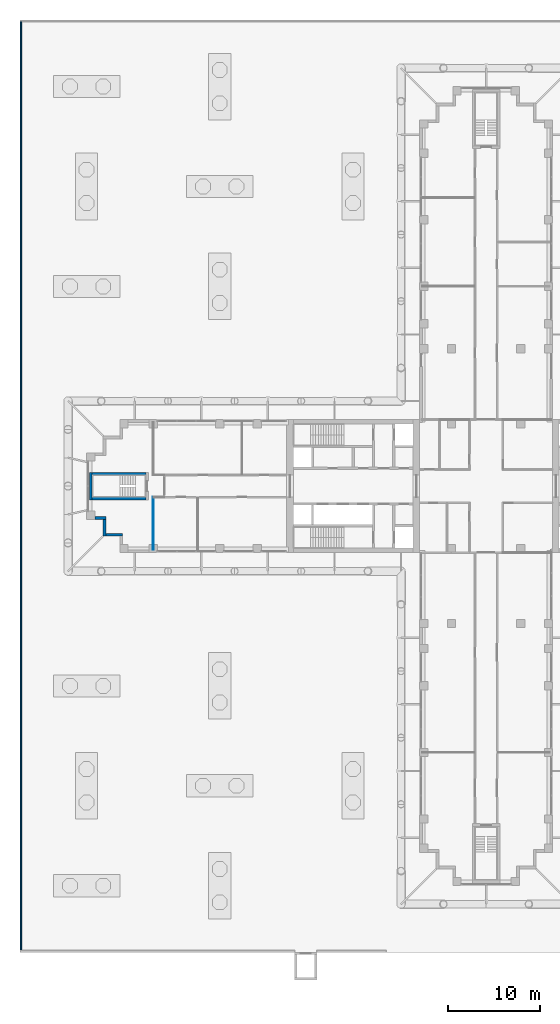
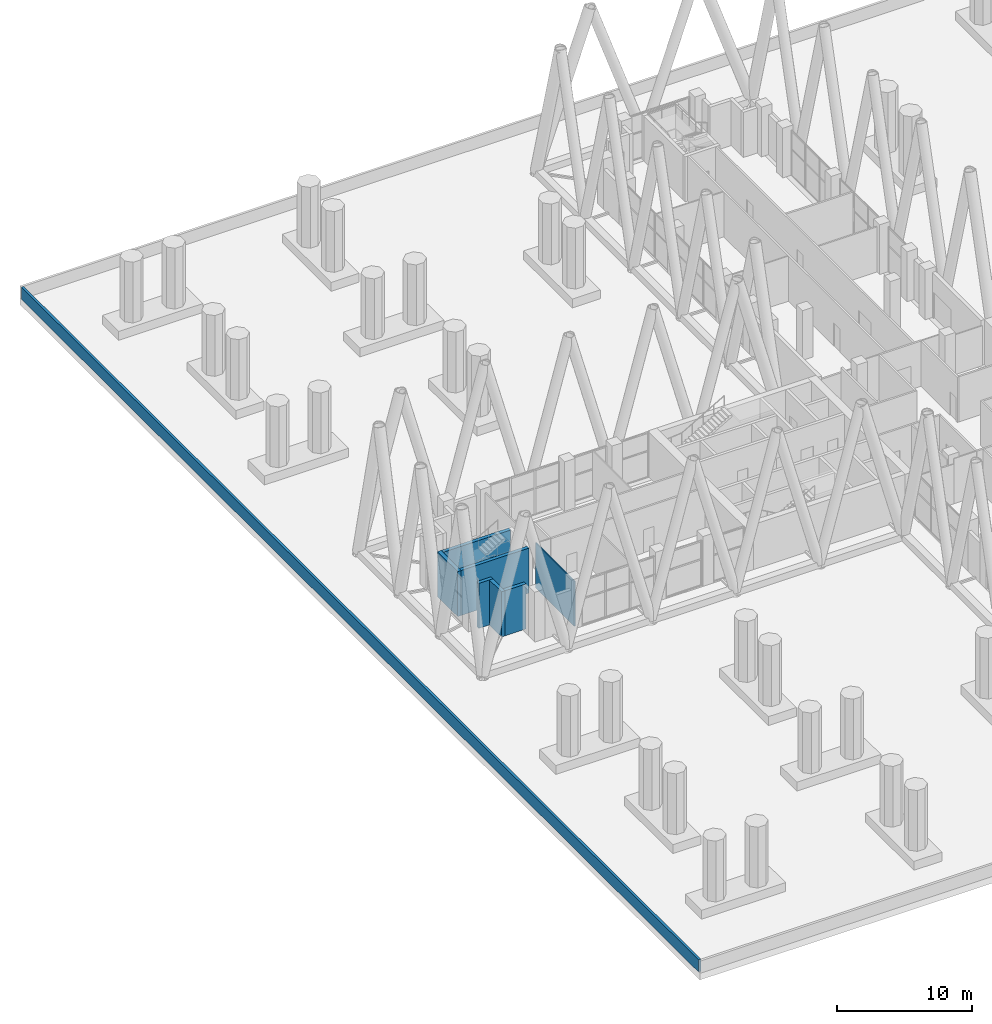
# One storey, part 19 of 31: 8 walls.
"""IFC4 building model written with IfcOpenShell, lengths in metres."""

import ifcopenshell
import ifcopenshell.guid

model = None  # the IFC model being written
_history = None  # IfcOwnerHistory: only IFC2X3 demands one
_inside = {}  # id of a spatial element -> (the spatial element, [elements in it])
_under = {}  # id of a project, library or spatial element -> (it, [spatial elements below it])
_declared = {}  # id of a project -> (the project, [libraries it declares])
_typed = {}  # id of a type object -> (the type object, [elements of that type])
_made_of = {}  # id of a material, layer set ... -> (it, [elements and type objects made of it])


def new_model(schema):
    """Start an empty IFC model of exactly this schema.

    Asked for "IFC4X3", IfcOpenShell would pick the latest addendum, in which some entities
    have other attributes; the version numbers below select the first issue.
    IFC2X3 requires an IfcOwnerHistory on every rooted entity: one is made here for all.
    """
    global model, _history
    if schema == "IFC4X3":
        model = ifcopenshell.file(schema_version=(4, 3, 0, 0))
    else:
        model = ifcopenshell.file(schema=schema)
    _inside.clear()
    _under.clear()
    _declared.clear()
    _typed.clear()
    _made_of.clear()
    _history = None
    if model.schema == "IFC2X3":
        org = make("IfcOrganization", Name="unknown")
        user = make(
            "IfcPersonAndOrganization",
            ThePerson=make("IfcPerson", FamilyName="unknown"),
            TheOrganization=org,
        )
        app = make(
            "IfcApplication",
            ApplicationDeveloper=org,
            Version="unknown",
            ApplicationFullName="unknown",
            ApplicationIdentifier="unknown",
        )
        _history = make(
            "IfcOwnerHistory",
            OwningUser=user,
            OwningApplication=app,
            ChangeAction="ADDED",
            CreationDate=0,
        )
    return model


def make(cls, **values):
    """One entity of the class cls with the attributes given. An attribute that is None is left unset."""
    return model.create_entity(
        cls, **{name: value for name, value in values.items() if value is not None}
    )


def rooted(cls, **values):
    """An entity with a GlobalId (a new one), such as an element, a storey or a relation."""
    return make(cls, GlobalId=ifcopenshell.guid.new(), OwnerHistory=_history, **values)


def si_unit(unit_type, name, prefix=None):
    """IfcSIUnit, for example si_unit("LENGTHUNIT", "METRE", prefix="MILLI")."""
    return make("IfcSIUnit", UnitType=unit_type, Prefix=prefix, Name=name)


def assignment(units):
    """IfcUnitAssignment: the units of a project."""
    return None if units is None else make("IfcUnitAssignment", Units=units)


def point(xyz):
    """IfcCartesianPoint."""
    return None if xyz is None else make("IfcCartesianPoint", Coordinates=xyz)


def direction(xyz):
    """IfcDirection."""
    return None if xyz is None else make("IfcDirection", DirectionRatios=xyz)


def frame(location, z_axis=None, x_axis=None):
    """IfcAxis2Placement3D, a coordinate frame: its origin and axes. An axis left out is left unset."""
    return make(
        "IfcAxis2Placement3D",
        Location=point(location),
        Axis=direction(z_axis),
        RefDirection=direction(x_axis),
    )


def frame_2d(location, x_axis=None):
    """IfcAxis2Placement2D, a coordinate frame in the plane: its origin and x axis."""
    return make(
        "IfcAxis2Placement2D", Location=point(location), RefDirection=direction(x_axis)
    )


def origin():
    """The frame at (0, 0, 0) with its axes left unset."""
    return frame((0.0, 0.0, 0.0))


def place(relative_to, where):
    """IfcLocalPlacement: puts the frame where relative to a parent placement (None: the world)."""
    return make(
        "IfcLocalPlacement", PlacementRelTo=relative_to, RelativePlacement=where
    )


def context(
    kind, dimensions, precision=None, world=None, true_north=None, identifier=None
):
    """IfcGeometricRepresentationContext, for example the 3D "Model" context."""
    return make(
        "IfcGeometricRepresentationContext",
        ContextIdentifier=identifier,
        ContextType=kind,
        CoordinateSpaceDimension=dimensions,
        Precision=precision,
        WorldCoordinateSystem=world,
        TrueNorth=true_north,
    )


def subcontext(parent, identifier, kind, view, scale=None):
    """IfcGeometricRepresentationSubContext, for example "Body" below "Model"."""
    return make(
        "IfcGeometricRepresentationSubContext",
        ContextIdentifier=identifier,
        ContextType=kind,
        ParentContext=parent,
        TargetScale=scale,
        TargetView=view,
    )


def project(units=None, contexts=None):
    """IfcProject with its units and contexts."""
    return rooted(
        "IfcProject",
        Name="project",
        RepresentationContexts=contexts,
        UnitsInContext=assignment(units),
    )


def spatial(cls, under=None, at=None, **own):
    """A site, building, storey or space (cls), placed at a placement, below another one or the project."""
    s = rooted(cls, ObjectPlacement=at, **own)
    if under is not None:
        _under.setdefault(under.id(), (under, []))[1].append(s)
    return s


def profile(cls, at=None, kind="AREA", **sizes):
    """A parametric profile (cls). Its sizes go by their IFC names, for example OverallWidth=200.0."""
    return make(cls, ProfileType=kind, Position=at, **sizes)


def rectangle(**sizes):
    """IfcRectangleProfileDef."""
    return profile("IfcRectangleProfileDef", **sizes)


def extrude(swept, where, along, depth):
    """IfcExtrudedAreaSolid: the profile swept, set in the frame where, extruded along a direction by depth."""
    return make(
        "IfcExtrudedAreaSolid",
        SweptArea=swept,
        Position=where,
        ExtrudedDirection=direction(along),
        Depth=depth,
    )


def shape(context_of_items, identifier, shape_type, items):
    """IfcShapeRepresentation: the items that make up one representation, for example the "Body"."""
    return make(
        "IfcShapeRepresentation",
        ContextOfItems=context_of_items,
        RepresentationIdentifier=identifier,
        RepresentationType=shape_type,
        Items=items,
    )


def material(Name=None, Category=None):
    """IfcMaterial."""
    return make("IfcMaterial", Name=Name, Category=Category)


def layer(
    of_material, thickness, ventilated=None, Name=None, Category=None, Priority=None
):
    """IfcMaterialLayer: one layer of a wall or slab, of a material (None: an air gap)."""
    return make(
        "IfcMaterialLayer",
        Material=of_material,
        LayerThickness=thickness,
        IsVentilated=ventilated,
        Name=Name,
        Category=Category,
        Priority=Priority,
    )


def layer_set(layers, Name=None):
    """IfcMaterialLayerSet."""
    return make("IfcMaterialLayerSet", MaterialLayers=layers, LayerSetName=Name)


def made_of(thing, what):
    """Note that an element or type object is made of a material, layer set ...; save() writes the relation."""
    if what is not None:
        _made_of.setdefault(what.id(), (what, []))[1].append(thing)
    return thing


def type_object(cls, material=None, **own):
    """A type object (cls), such as IfcWallType, which elements share."""
    return made_of(rooted(cls, **own), material)


def element(
    cls,
    number,
    at=None,
    inside=None,
    cuts=None,
    type_object=None,
    material=None,
    context=None,
    identifier="Body",
    shape_type=None,
    held_by="IfcProductDefinitionShape",
    body=None,
    shapes=None,
    **own,
):
    """One element of the class cls, such as IfcWall. Its Tag is "e" and its number.

    at: its placement. inside: the storey or other place that contains it. cuts: it is an
    opening in that element (IfcRelVoidsElement). A single representation is given by context,
    identifier, shape_type and body (its items); several are given by shapes. held_by: the class
    of the entity that holds the representations. save() writes the other relations.
    """
    e = rooted(cls, Tag="e%d" % number, ObjectPlacement=at, **own)
    if body is not None:
        shapes = [shape(context, identifier, shape_type, body)]
    if shapes is not None:
        e.Representation = make(held_by, Representations=shapes)
    if inside is not None:
        _inside.setdefault(inside.id(), (inside, []))[1].append(e)
    if cuts is not None:
        rooted(
            "IfcRelVoidsElement", RelatingBuildingElement=cuts, RelatedOpeningElement=e
        )
    if type_object is not None:
        _typed.setdefault(type_object.id(), (type_object, []))[1].append(e)
    return made_of(e, material)


def aggregate(whole, parts):
    """IfcRelAggregates: a whole, such as a stair, and the parts it consists of."""
    return rooted("IfcRelAggregates", RelatingObject=whole, RelatedObjects=parts)


def save(model, path):
    """Write the relations noted so far, then the file.

    IfcRelAggregates (storeys below a building ...), IfcRelContainedInSpatialStructure (elements
    in a storey), IfcRelDefinesByType, IfcRelAssociatesMaterial and IfcRelDeclares: one each for
    every whole, place, type object, material and project.
    """
    for whole, parts in _under.values():
        aggregate(whole, parts)
    for where, things in _inside.values():
        rooted(
            "IfcRelContainedInSpatialStructure",
            RelatedElements=things,
            RelatingStructure=where,
        )
    for kind, things in _typed.values():
        rooted("IfcRelDefinesByType", RelatedObjects=things, RelatingType=kind)
    for what, things in _made_of.values():
        rooted("IfcRelAssociatesMaterial", RelatedObjects=things, RelatingMaterial=what)
    for by, libraries in _declared.values():
        rooted("IfcRelDeclares", RelatingContext=by, RelatedDefinitions=libraries)
    model.write(path)


model = new_model("IFC4")

# Units and contexts
model_context = context("Model", 3, precision=1e-05, world=origin(), true_north=direction((0.0, 1.0)))
body_context = subcontext(model_context, "Body", "Model", "MODEL_VIEW")
ifc_project = project(units=[si_unit("LENGTHUNIT", "METRE"), si_unit("AREAUNIT", "SQUARE_METRE"), si_unit("VOLUMEUNIT", "CUBIC_METRE"), si_unit("PLANEANGLEUNIT", "RADIAN"), si_unit("MASSUNIT", "GRAM", prefix="KILO")], contexts=[model_context])

# Site, building, storey
site_placement = place(None, origin())
site = spatial("IfcSite", under=ifc_project, at=site_placement, CompositionType="ELEMENT")
building_placement = place(site_placement, origin())
building = spatial("IfcBuilding", under=site, at=building_placement, Name="Fustian Cross Tower", CompositionType="ELEMENT")
storey_placement = place(building_placement, frame((0.0, 0.0, 7.199951171875)))
storey = spatial("IfcBuildingStorey", under=building, at=storey_placement, Name="L01", CompositionType="ELEMENT", Elevation=7.199951171875)

# Walls
ifc_material_1 = material(Name="Dark rainscreen cladding on blockwork", Category="masonry")
ifc_layer_1 = layer(ifc_material_1, 0.300048828125)
ifc_layer_set_1 = layer_set([ifc_layer_1], Name="Dark rainscreen cladding on blockwork")
wall_type_1 = type_object("IfcWallType", Name="EXTERNAL WALL 300 CLADDING", PredefinedType="SOLIDWALL", material=ifc_layer_set_1)
wall_1_placement = place(storey_placement, frame((-42.300048828125, -3.449951171875, 0.0), z_axis=(0.0, 0.0, 1.0), x_axis=(1.0, 0.0, 0.0)))
element("IfcWall", 1, at=wall_1_placement, inside=storey, type_object=wall_type_1, Name="Garden-level wall W310", PredefinedType="SOLIDWALL", context=body_context, shape_type="SweptSolid", body=[
    extrude(rectangle(XDim=1.199951171875, YDim=0.300048828125, at=frame_2d((0.60009765625, 0.0))), origin(), (0.0, 0.0, 1.0), 4.074951171875),
])
wall_2_placement = place(storey_placement, frame((-41.25, -3.60009765625, 0.0), z_axis=(0.0, 0.0, 1.0), x_axis=(0.0, -1.0, 0.0)))
element("IfcWall", 2, at=wall_2_placement, inside=storey, type_object=wall_type_1, Name="Garden-level wall W320", PredefinedType="SOLIDWALL", context=body_context, shape_type="SweptSolid", body=[
    extrude(rectangle(XDim=1.7998046875, YDim=0.300048828125, at=frame_2d((0.89990234375, 0.0))), origin(), (0.0, 0.0, 1.0), 4.074951171875),
])
wall_3_placement = place(storey_placement, frame((-41.10009765625, -5.25, 0.0), z_axis=(0.0, 0.0, 1.0), x_axis=(1.0, 0.0, 0.0)))
element("IfcWall", 3, at=wall_3_placement, inside=storey, type_object=wall_type_1, Name="Garden-level wall W330", PredefinedType="SOLIDWALL", context=body_context, shape_type="SweptSolid", body=[
    extrude(rectangle(XDim=1.800048828125, YDim=0.300048828125, at=frame_2d((0.89990234375, 0.0))), origin(), (0.0, 0.0, 1.0), 4.074951171875),
])
ifc_material_2 = material(Name="Dark rainscreen cladding on blockwork", Category="masonry")
ifc_layer_2 = layer(ifc_material_2, 0.199951171875)
ifc_layer_set_2 = layer_set([ifc_layer_2], Name="Dark rainscreen cladding on blockwork")
wall_type_2 = type_object("IfcWallType", Name="PARAPET 200", PredefinedType="PARAPET", material=ifc_layer_set_2)
wall_4_placement = place(storey_placement, frame((-50.300048828125, 50.199951171875, 0.0), z_axis=(0.0, 0.0, 1.0), x_axis=(0.0, -1.0, 0.0)))
element("IfcWall", 4, at=wall_4_placement, inside=storey, type_object=wall_type_2, Name="Deck parapet W", PredefinedType="PARAPET", context=body_context, shape_type="SweptSolid", body=[
    extrude(rectangle(XDim=100.39990234375, YDim=0.199951171875, at=frame_2d((50.199951171875, 0.0))), origin(), (0.0, 0.0, 1.0), 1.10009765625),
])
ifc_material_3 = material(Name="Plasterboard on steel stud", Category="steel")
ifc_layer_3 = layer(ifc_material_3, 0.10009765625)
ifc_layer_set_3 = layer_set([ifc_layer_3], Name="Plasterboard on steel stud")
wall_type_3 = type_object("IfcWallType", Name="PARTITION 100 STUD", PredefinedType="PARTITIONING", material=ifc_layer_set_3)
wall_5_placement = place(storey_placement, frame((-36.0, -6.89990234375, 0.0), z_axis=(0.0, 0.0, 1.0), x_axis=(0.0, 1.0, 0.0)))
element("IfcWall", 5, at=wall_5_placement, inside=storey, type_object=wall_type_3, Name="Partition 1", PredefinedType="PARTITIONING", context=body_context, shape_type="SweptSolid", body=[
    extrude(rectangle(XDim=5.75, YDim=0.10009765625, at=frame_2d((2.875, 0.0))), origin(), (0.0, 0.0, 1.0), 4.074951171875),
])
ifc_material_4 = material(Name="Concrete C50/60", Category="concrete")
ifc_layer_4 = layer(ifc_material_4, 0.300048828125)
ifc_layer_set_4 = layer_set([ifc_layer_4], Name="Concrete C50/60")
wall_type_4 = type_object("IfcWallType", Name="STAIR ENCLOSURE WALL 300 C50/60", PredefinedType="SHEAR", material=ifc_layer_set_4)
wall_6_placement = place(storey_placement, frame((-42.75, -1.5, 0.0), z_axis=(0.0, 0.0, 1.0), x_axis=(0.0, 1.0, 0.0)))
element("IfcWall", 6, at=wall_6_placement, inside=storey, type_object=wall_type_4, Name="Stair enclosure wall", PredefinedType="SHEAR", context=body_context, shape_type="SweptSolid", body=[
    extrude(rectangle(XDim=3.0, YDim=0.300048828125, at=frame_2d((1.5, 0.0))), origin(), (0.0, 0.0, 1.0), 4.074951171875),
])
for number, where, z_axis, x_axis, name in (
    (7, (-36.800048828125, -1.35009765625, 0.0), (0.0, 0.0, 1.0), (-1.0, 0.0, 0.0), "Stair enclosure wall"),
    (8, (-36.800048828125, 1.35009765625, 0.0), (0.0, 0.0, 1.0), (-1.0, 0.0, 0.0), "Stair enclosure wall"),
):
    element("IfcWall", number, at=place(storey_placement, frame(where, z_axis=z_axis, x_axis=x_axis)), inside=storey, type_object=wall_type_4, Name=name, PredefinedType="SHEAR", context=body_context, shape_type="SweptSolid", body=[
        extrude(rectangle(XDim=5.800048828125, YDim=0.300048828125, at=frame_2d((2.89990234375, 0.0))), origin(), (0.0, 0.0, 1.0), 4.074951171875),
    ])

save(model, "model.ifc")
